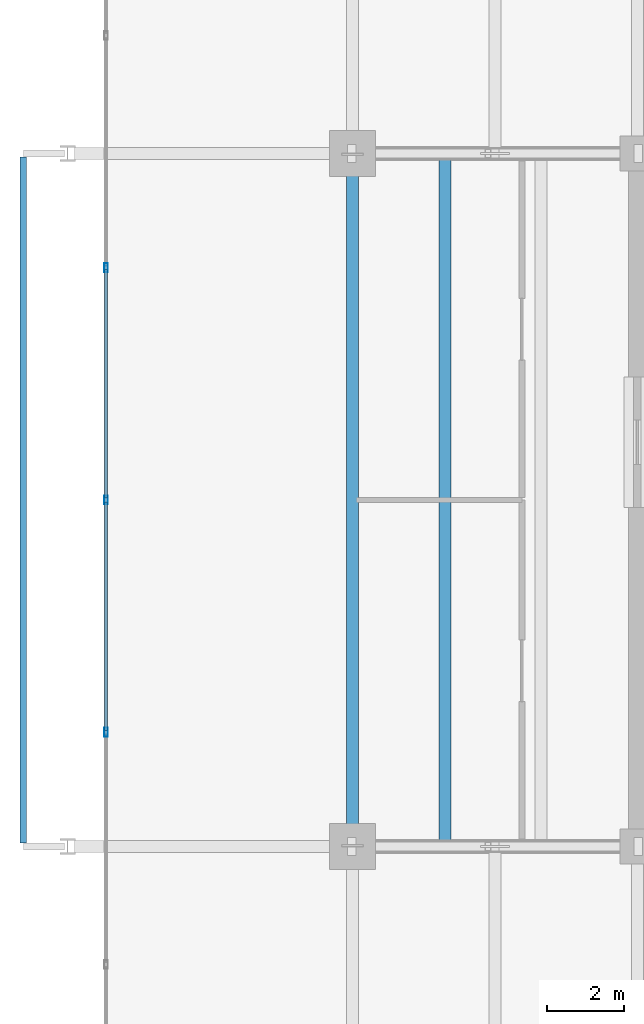
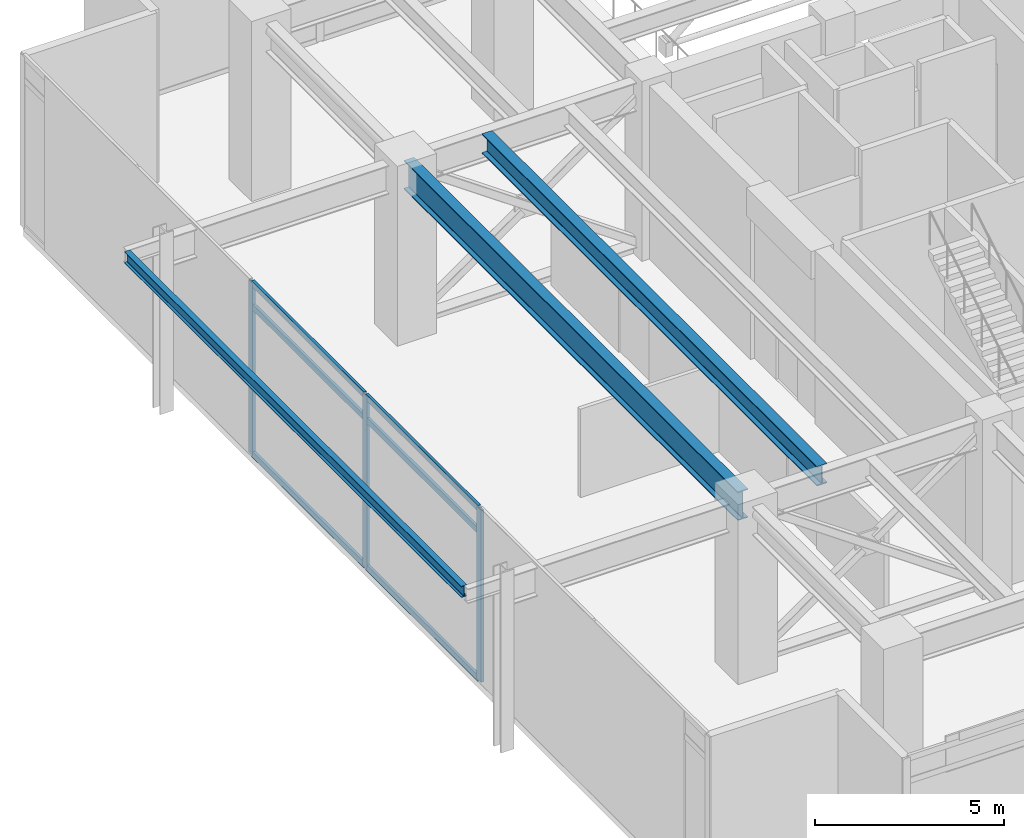
# One storey, part 6 of 26: 9 members, 3 beams, 1 element without a shape of its own.
"""IFC4 building model written with IfcOpenShell, lengths in metres."""

from ifc_helpers import new_model, si_unit, direction, frame, origin, origin_2d, place, context, subcontext, project, spatial, hollow_rectangle, i_section, extrude, material, material_profile, profile_set, type_object, element, aggregate, save


model = new_model("IFC4")

# Units and contexts
model_context = context("Model", 3, precision=1e-05, world=origin(), true_north=direction((0.0, 1.0)))
body_context = subcontext(model_context, "Body", "Model", "MODEL_VIEW")
ifc_project = project(units=[si_unit("LENGTHUNIT", "METRE"), si_unit("AREAUNIT", "SQUARE_METRE"), si_unit("VOLUMEUNIT", "CUBIC_METRE"), si_unit("PLANEANGLEUNIT", "RADIAN"), si_unit("MASSUNIT", "GRAM", prefix="KILO")], contexts=[model_context])

# Site, building, storey
site_placement = place(None, origin())
site = spatial("IfcSite", under=ifc_project, at=site_placement, CompositionType="ELEMENT")
building_placement = place(site_placement, origin())
building = spatial("IfcBuilding", under=site, at=building_placement, Name="Kovane Verandah Tower", CompositionType="ELEMENT")
storey_placement = place(building_placement, frame((0.0, 0.0, 301.0)))
storey = spatial("IfcBuildingStorey", under=building, at=storey_placement, Name="L70", CompositionType="ELEMENT", Elevation=301.0)

# Beams
ifc_material_1 = material(Name="Steel S460", Category="steel")
ifc_material_profile_1 = material_profile(ifc_material_1, i_section(OverallWidth=0.311279296875, OverallDepth=0.6357421875, WebThickness=0.018310546875, FlangeThickness=0.031494140625, FilletRadius=0.0166015625, at=origin_2d()), Name="UB610x305x238")
ifc_profile_set_1 = profile_set([ifc_material_profile_1], Name="Steel S460")
beam_type_1 = type_object("IfcBeamType", Name="BM-UB610x238", PredefinedType="BEAM", material=ifc_profile_set_1)
beam_1_placement = place(storey_placement, frame((24.0, 18.65185546875, 5.26708984375), z_axis=(0.0, 1.0, 0.0), x_axis=(-1.0, 0.0, 0.0)))
element("IfcBeam", 1, at=beam_1_placement, inside=storey, type_object=beam_type_1, Name="L70 Secondary Composite Joist J-W1", PredefinedType="BEAM", context=body_context, shape_type="SweptSolid", body=[
    extrude(i_section(OverallWidth=0.311279296875, OverallDepth=0.6357421875, WebThickness=0.018310546875, FlangeThickness=0.031494140625, FilletRadius=0.0166015625, at=origin_2d()), origin(), (0.0, 0.0, 1.0), 17.6962890625),
])
ifc_material_profile_2 = material_profile(ifc_material_1, i_section(OverallWidth=0.3076171875, OverallDepth=0.926513671875, WebThickness=0.01953125, FlangeThickness=0.031982421875, FilletRadius=0.01904296875, at=origin_2d()), Name="UB914x305x289")
ifc_profile_set_2 = profile_set([ifc_material_profile_2], Name="Steel S460")
beam_type_2 = type_object("IfcBeamType", Name="BM-UB914x289", PredefinedType="BEAM", material=ifc_profile_set_2)
beam_2_placement = place(storey_placement, frame((21.60009765625, 18.679931640625, 5.12158203125), z_axis=(0.0, 1.0, 0.0), x_axis=(-1.0, 0.0, 0.0)))
element("IfcBeam", 2, at=beam_2_placement, inside=storey, type_object=beam_type_2, Name="L70 Primary Tower Girder G-RW2", PredefinedType="BEAM", context=body_context, shape_type="SweptSolid", body=[
    extrude(i_section(OverallWidth=0.3076171875, OverallDepth=0.926513671875, WebThickness=0.01953125, FlangeThickness=0.031982421875, FilletRadius=0.01904296875, at=origin_2d()), origin(), (0.0, 0.0, 1.0), 17.64013671875),
])

# Curtain wall, members
ifc_material_2 = material(Name="Champagne Anodised Aluminium Frame with Low-E Clear Laminated Glass", Category="aluminium")
curtain_wall_type = type_object("IfcCurtainWallType", Name="CW-SYS-05-HIGH", PredefinedType="NOTDEFINED", material=ifc_material_2)
curtain_wall_placement = place(storey_placement, origin())
curtain_wall = element("IfcCurtainWall", 3, at=curtain_wall_placement, inside=storey, type_object=curtain_wall_type, Name="L70 W Unitised Curtain Wall", PredefinedType="NOTDEFINED")
ifc_material_3 = material(Name="Champagne Anodised Aluminium 6063-T6", Category="aluminium")
ifc_material_profile_3 = material_profile(ifc_material_3, hollow_rectangle(XDim=0.0849609375, YDim=0.22998046875, WallThickness=0.00390625, at=origin_2d()), Name="AL85x230x4")
ifc_profile_set_3 = profile_set([ifc_material_profile_3], Name="Champagne Anodised Aluminium 6063-T6")
member_type_1 = type_object("IfcMemberType", Name="CW-MUL-85x230", PredefinedType="MULLION", material=ifc_profile_set_3)
member_1_placement = place(storey_placement, frame((15.199951171875, 33.533203125, 0.02001953125), z_axis=(0.0, 0.0, 1.0), x_axis=(-1.0, 0.0, 0.0)))
member_1 = element("IfcMember", 4, at=member_1_placement, type_object=member_type_1, Name="L70 W Unitised Curtain Wall Mullion 3", PredefinedType="MULLION", context=body_context, shape_type="SweptSolid", body=[
    extrude(hollow_rectangle(XDim=0.0849609375, YDim=0.22998046875, WallThickness=0.00390625, at=origin_2d()), origin(), (0.0, 0.0, 1.0), 5.544921875),
])
member_2_placement = place(storey_placement, frame((15.199951171875, 27.5, 0.02001953125), z_axis=(0.0, 0.0, 1.0), x_axis=(-1.0, 0.0, 0.0)))
member_2 = element("IfcMember", 5, at=member_2_placement, type_object=member_type_1, Name="L70 W Unitised Curtain Wall Mullion 4", PredefinedType="MULLION", context=body_context, shape_type="SweptSolid", body=[
    extrude(hollow_rectangle(XDim=0.0849609375, YDim=0.22998046875, WallThickness=0.00390625, at=origin_2d()), origin(), (0.0, 0.0, 1.0), 5.544921875),
])
member_3_placement = place(storey_placement, frame((15.199951171875, 21.466796875, 0.02001953125), z_axis=(0.0, 0.0, 1.0), x_axis=(-1.0, 0.0, 0.0)))
member_3 = element("IfcMember", 6, at=member_3_placement, type_object=member_type_1, Name="L70 W Unitised Curtain Wall Mullion 5", PredefinedType="MULLION", context=body_context, shape_type="SweptSolid", body=[
    extrude(hollow_rectangle(XDim=0.0849609375, YDim=0.22998046875, WallThickness=0.00390625, at=origin_2d()), origin(), (0.0, 0.0, 1.0), 5.544921875),
])
ifc_material_profile_4 = material_profile(ifc_material_3, hollow_rectangle(XDim=0.0849609375, YDim=0.18994140625, WallThickness=0.00390625, at=origin_2d()), Name="AL85x190x4")
ifc_profile_set_4 = profile_set([ifc_material_profile_4], Name="Champagne Anodised Aluminium 6063-T6")
member_type_2 = type_object("IfcMemberType", Name="CW-TRN-85x190", PredefinedType="USERDEFINED", material=ifc_profile_set_4)
member_4_placement = place(storey_placement, frame((15.199951171875, 33.4833984375, 0.050048828125), z_axis=(0.0, -1.0, 0.0), x_axis=(1.0, 0.0, 0.0)))
member_4 = element("IfcMember", 7, at=member_4_placement, type_object=member_type_2, Name="L70 W Unitised Curtain Wall Transom TB Bay 3", ObjectType="TRANSOM", PredefinedType="USERDEFINED", context=body_context, shape_type="SweptSolid", body=[
    extrude(hollow_rectangle(XDim=0.0849609375, YDim=0.18994140625, WallThickness=0.00390625, at=origin_2d()), origin(), (0.0, 0.0, 1.0), 5.933349609375),
])
member_5_placement = place(storey_placement, frame((15.199951171875, 33.4833984375, 4.804931640625), z_axis=(0.0, -1.0, 0.0), x_axis=(1.0, 0.0, 0.0)))
member_5 = element("IfcMember", 8, at=member_5_placement, type_object=member_type_2, Name="L70 W Unitised Curtain Wall Transom TM Bay 3", ObjectType="TRANSOM", PredefinedType="USERDEFINED", context=body_context, shape_type="SweptSolid", body=[
    extrude(hollow_rectangle(XDim=0.0849609375, YDim=0.18994140625, WallThickness=0.00390625, at=origin_2d()), origin(), (0.0, 0.0, 1.0), 5.933349609375),
])
member_6_placement = place(storey_placement, frame((15.199951171875, 33.4833984375, 5.534912109375), z_axis=(0.0, -1.0, 0.0), x_axis=(1.0, 0.0, 0.0)))
member_6 = element("IfcMember", 9, at=member_6_placement, type_object=member_type_2, Name="L70 W Unitised Curtain Wall Transom TT Bay 3", ObjectType="TRANSOM", PredefinedType="USERDEFINED", context=body_context, shape_type="SweptSolid", body=[
    extrude(hollow_rectangle(XDim=0.0849609375, YDim=0.18994140625, WallThickness=0.00390625, at=origin_2d()), origin(), (0.0, 0.0, 1.0), 5.933349609375),
])
member_7_placement = place(storey_placement, frame((15.199951171875, 27.449951171875, 0.050048828125), z_axis=(0.0, -1.0, 0.0), x_axis=(1.0, 0.0, 0.0)))
member_7 = element("IfcMember", 10, at=member_7_placement, type_object=member_type_2, Name="L70 W Unitised Curtain Wall Transom TB Bay 4", ObjectType="TRANSOM", PredefinedType="USERDEFINED", context=body_context, shape_type="SweptSolid", body=[
    extrude(hollow_rectangle(XDim=0.0849609375, YDim=0.18994140625, WallThickness=0.00390625, at=origin_2d()), origin(), (0.0, 0.0, 1.0), 5.933349609375),
])
member_8_placement = place(storey_placement, frame((15.199951171875, 27.449951171875, 4.804931640625), z_axis=(0.0, -1.0, 0.0), x_axis=(1.0, 0.0, 0.0)))
member_8 = element("IfcMember", 11, at=member_8_placement, type_object=member_type_2, Name="L70 W Unitised Curtain Wall Transom TM Bay 4", ObjectType="TRANSOM", PredefinedType="USERDEFINED", context=body_context, shape_type="SweptSolid", body=[
    extrude(hollow_rectangle(XDim=0.0849609375, YDim=0.18994140625, WallThickness=0.00390625, at=origin_2d()), origin(), (0.0, 0.0, 1.0), 5.933349609375),
])
member_9_placement = place(storey_placement, frame((15.199951171875, 27.449951171875, 5.534912109375), z_axis=(0.0, -1.0, 0.0), x_axis=(1.0, 0.0, 0.0)))
member_9 = element("IfcMember", 12, at=member_9_placement, type_object=member_type_2, Name="L70 W Unitised Curtain Wall Transom TT Bay 4", ObjectType="TRANSOM", PredefinedType="USERDEFINED", context=body_context, shape_type="SweptSolid", body=[
    extrude(hollow_rectangle(XDim=0.0849609375, YDim=0.18994140625, WallThickness=0.00390625, at=origin_2d()), origin(), (0.0, 0.0, 1.0), 5.933349609375),
])
aggregate(curtain_wall, [member_1, member_2, member_3, member_4, member_5, member_6, member_7, member_8, member_9])

# Beam
ifc_material_4 = material(Name="Steel S355", Category="steel")
ifc_material_profile_5 = material_profile(ifc_material_4, i_section(OverallWidth=0.173095703125, OverallDepth=0.36328125, WebThickness=0.009033203125, FlangeThickness=0.015625, FilletRadius=0.01025390625, at=origin_2d()), Name="UB356x171x67")
ifc_profile_set_5 = profile_set([ifc_material_profile_5], Name="Steel S355")
beam_type_3 = type_object("IfcBeamType", Name="SPD-UB356x67", PredefinedType="USERDEFINED", material=ifc_profile_set_5)
beam_3_placement = place(storey_placement, frame((13.050048828125, 18.594482421875, 5.37841796875), z_axis=(0.0, 1.0, 0.0), x_axis=(-1.0, 0.0, 0.0)))
element("IfcBeam", 13, at=beam_3_placement, inside=storey, type_object=beam_type_3, Name="L70 West Planter Edge Spandrel", ObjectType="SPANDREL", PredefinedType="USERDEFINED", context=body_context, shape_type="SweptSolid", body=[
    extrude(i_section(OverallWidth=0.173095703125, OverallDepth=0.36328125, WebThickness=0.009033203125, FlangeThickness=0.015625, FilletRadius=0.01025390625, at=origin_2d()), origin(), (0.0, 0.0, 1.0), 17.81103515625),
])

save(model, "model.ifc")
